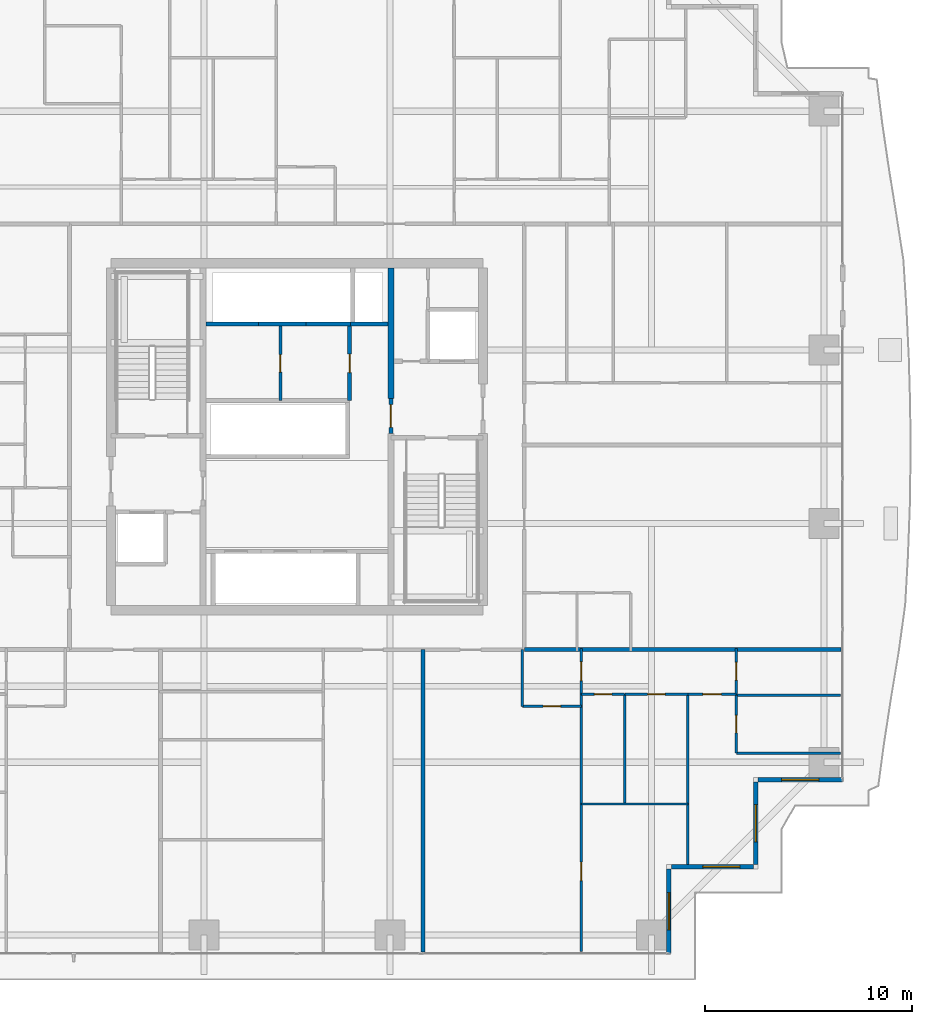
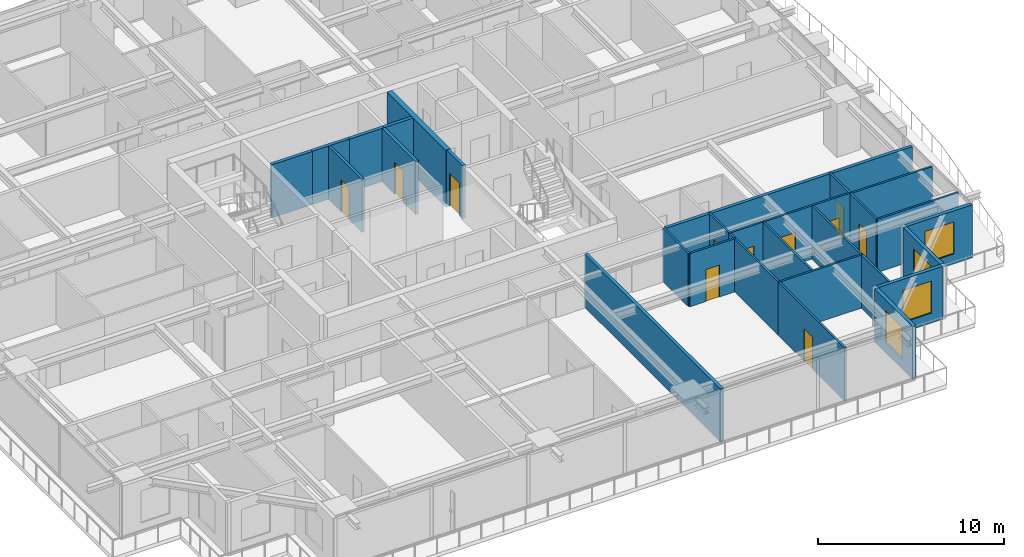
# One storey, part 28 of 38: 29 walls, 11 doors, 4 windows, 15 openings.
"""IFC4 building model written with IfcOpenShell, lengths in metres."""

from ifc_helpers import new_model, si_unit, direction, frame, frame_2d, origin, place, context, subcontext, project, spatial, rectangle, extrude, source, transform, mapped, material, layer, layer_set, type_object, element, fill, save


model = new_model("IFC4")

# Units and contexts
model_context = context("Model", 3, precision=1e-05, world=origin(), true_north=direction((0.0, 1.0)))
body_context = subcontext(model_context, "Body", "Model", "MODEL_VIEW")
ifc_project = project(units=[si_unit("LENGTHUNIT", "METRE"), si_unit("AREAUNIT", "SQUARE_METRE"), si_unit("VOLUMEUNIT", "CUBIC_METRE"), si_unit("PLANEANGLEUNIT", "RADIAN"), si_unit("MASSUNIT", "GRAM", prefix="KILO")], contexts=[model_context])

# Site, building, storey
site_placement = place(None, origin())
site = spatial("IfcSite", under=ifc_project, at=site_placement, CompositionType="ELEMENT")
building_placement = place(site_placement, origin())
building = spatial("IfcBuilding", under=site, at=building_placement, Name="Serunith Strait Residences", CompositionType="ELEMENT")
storey_placement = place(building_placement, frame((0.0, 0.0, 52.949951171875)))
storey = spatial("IfcBuildingStorey", under=building, at=storey_placement, Name="L12", CompositionType="ELEMENT", Elevation=52.949951171875)

# Wall, opening, window
ifc_material_1 = material(Name="Pale-Champagne Aluminium Insulated Panel", Category="aluminium")
ifc_layer_1 = layer(ifc_material_1, 0.219970703125, Name="Pale-Champagne Aluminium Insulated Panel")
ifc_layer_set_1 = layer_set([ifc_layer_1], Name="Pale-Champagne Aluminium Insulated Panel")
wall_type_1 = type_object("IfcWallType", Name="EW-ALUM-220", PredefinedType="ELEMENTEDWALL", material=ifc_layer_set_1)
wall_1_placement = place(storey_placement, frame((50.39990234375, 0.199951171875, 0.0), z_axis=(0.0, 0.0, 1.0), x_axis=(0.0, 1.0, 0.0)))
wall_1 = element("IfcWall", 1, at=wall_1_placement, inside=storey, type_object=wall_type_1, Name="L12 Girih Serrated Corner Wall 02", PredefinedType="ELEMENTEDWALL", context=body_context, shape_type="SweptSolid", body=[
    extrude(rectangle(XDim=4.090087890625, YDim=0.219970703125, at=frame_2d((2.044921875, 0.0))), origin(), (0.0, 0.0, 1.0), 3.47509765625),
])
opening_1_placement = place(wall_1_placement, frame((1.14501953125, 0.0, 0.64990234375)))
opening_1 = element("IfcOpeningElement", 2, at=opening_1_placement, cuts=wall_1, Name="Opening W-01", PredefinedType="OPENING", context=body_context, shape_type="SweptSolid", body=[
    extrude(rectangle(XDim=1.800048828125, YDim=2.10009765625, at=frame_2d((0.89990234375, 1.050048828125))), frame((0.0, 0.1201171875, 0.0), z_axis=(0.0, -1.0, 0.0), x_axis=(1.0, 0.0, 0.0)), (0.0, 0.0, 1.0), 0.239990234375),
])
ifc_material_2 = material(Name="Ceramic-Fritted Operable Aluminium Window Glass", Category="aluminium")
window_type = type_object("IfcWindowType", Name="WIN-C1", PartitioningType="DOUBLE_PANEL_VERTICAL", PredefinedType="WINDOW", material=ifc_material_2)
shared_shape_1 = source(origin(), body_context, "Body", "SweptSolid", [
    extrude(rectangle(XDim=1.800048828125, YDim=2.10009765625, at=frame_2d((0.89990234375, 1.050048828125))), frame((0.0, 0.030029296875, 0.0), z_axis=(0.0, -1.0, 0.0), x_axis=(1.0, 0.0, 0.0)), (0.0, 0.0, 1.0), 0.06005859375),
])
window_1_placement = place(opening_1_placement, origin())
window_1 = element("IfcWindow", 3, at=window_1_placement, inside=storey, type_object=window_type, Name="L12 Corner Operable Fritted Window 02", OverallHeight=2.10009765625, OverallWidth=1.800048828125, PartitioningType="SINGLE_PANEL", PredefinedType="WINDOW", context=body_context, shape_type="MappedRepresentation", body=[
    mapped(shared_shape_1, transform((0.0, 0.0, 0.0), scale=1.0)),
])
fill(opening_1, window_1)

wall_2_placement = place(storey_placement, frame((50.510009765625, 4.39990234375, 0.0), z_axis=(0.0, 0.0, 1.0), x_axis=(1.0, 0.0, 0.0)))
wall_2 = element("IfcWall", 4, at=wall_2_placement, inside=storey, type_object=wall_type_1, Name="L12 Girih Serrated Corner Wall 03", PredefinedType="ELEMENTEDWALL", context=body_context, shape_type="SweptSolid", body=[
    extrude(rectangle(XDim=3.97998046875, YDim=0.219970703125, at=frame_2d((1.989990234375, 0.0))), origin(), (0.0, 0.0, 1.0), 3.47509765625),
])
opening_2_placement = place(wall_2_placement, frame((1.52587890625, 0.0, 0.64990234375)))
opening_2 = element("IfcOpeningElement", 5, at=opening_2_placement, cuts=wall_2, Name="Opening W-01", PredefinedType="OPENING", context=body_context, shape_type="SweptSolid", body=[
    extrude(rectangle(XDim=1.800048828125, YDim=2.10009765625, at=frame_2d((0.89990234375, 1.050048828125))), frame((0.0, 0.1201171875, 0.0), z_axis=(0.0, -1.0, 0.0), x_axis=(1.0, 0.0, 0.0)), (0.0, 0.0, 1.0), 0.239990234375),
])
window_2_placement = place(opening_2_placement, origin())
window_2 = element("IfcWindow", 6, at=window_2_placement, inside=storey, type_object=window_type, Name="L12 Corner Operable Fritted Window 03", OverallHeight=2.10009765625, OverallWidth=1.800048828125, PartitioningType="SINGLE_PANEL", PredefinedType="WINDOW", context=body_context, shape_type="MappedRepresentation", body=[
    mapped(shared_shape_1, transform((0.0, 0.0, 0.0), scale=1.0)),
])
fill(opening_2, window_2)

wall_3_placement = place(storey_placement, frame((54.60009765625, 4.510009765625, 0.0), z_axis=(0.0, 0.0, 1.0), x_axis=(0.0, 1.0, 0.0)))
wall_3 = element("IfcWall", 7, at=wall_3_placement, inside=storey, type_object=wall_type_1, Name="L12 Girih Serrated Corner Wall 04", PredefinedType="ELEMENTEDWALL", context=body_context, shape_type="SweptSolid", body=[
    extrude(rectangle(XDim=3.97998046875, YDim=0.219970703125, at=frame_2d((1.989990234375, 0.0))), origin(), (0.0, 0.0, 1.0), 3.47509765625),
])
opening_3_placement = place(wall_3_placement, frame((1.090087890625, 0.0, 0.64990234375)))
opening_3 = element("IfcOpeningElement", 8, at=opening_3_placement, cuts=wall_3, Name="Opening W-01", PredefinedType="OPENING", context=body_context, shape_type="SweptSolid", body=[
    extrude(rectangle(XDim=1.800048828125, YDim=2.10009765625, at=frame_2d((0.89990234375, 1.050048828125))), frame((0.0, 0.1201171875, 0.0), z_axis=(0.0, -1.0, 0.0), x_axis=(1.0, 0.0, 0.0)), (0.0, 0.0, 1.0), 0.239990234375),
])
window_3_placement = place(opening_3_placement, origin())
window_3 = element("IfcWindow", 9, at=window_3_placement, inside=storey, type_object=window_type, Name="L12 Corner Operable Fritted Window 04", OverallHeight=2.10009765625, OverallWidth=1.800048828125, PartitioningType="SINGLE_PANEL", PredefinedType="WINDOW", context=body_context, shape_type="MappedRepresentation", body=[
    mapped(shared_shape_1, transform((0.0, 0.0, 0.0), scale=1.0)),
])
fill(opening_3, window_3)

wall_4_placement = place(storey_placement, frame((54.7099609375, 8.60009765625, 0.0), z_axis=(0.0, 0.0, 1.0), x_axis=(1.0, 0.0, 0.0)))
wall_4 = element("IfcWall", 10, at=wall_4_placement, inside=storey, type_object=wall_type_1, Name="L12 Girih Serrated Corner Wall 05", PredefinedType="ELEMENTEDWALL", context=body_context, shape_type="SweptSolid", body=[
    extrude(rectangle(XDim=4.090087890625, YDim=0.219970703125, at=frame_2d((2.044921875, 0.0))), origin(), (0.0, 0.0, 1.0), 3.47509765625),
])
opening_4_placement = place(wall_4_placement, frame((1.14501953125, 0.0, 0.64990234375)))
opening_4 = element("IfcOpeningElement", 11, at=opening_4_placement, cuts=wall_4, Name="Opening W-01", PredefinedType="OPENING", context=body_context, shape_type="SweptSolid", body=[
    extrude(rectangle(XDim=1.800048828125, YDim=2.10009765625, at=frame_2d((0.89990234375, 1.050048828125))), frame((0.0, 0.1201171875, 0.0), z_axis=(0.0, -1.0, 0.0), x_axis=(1.0, 0.0, 0.0)), (0.0, 0.0, 1.0), 0.239990234375),
])
window_4_placement = place(opening_4_placement, origin())
window_4 = element("IfcWindow", 12, at=window_4_placement, inside=storey, type_object=window_type, Name="L12 Corner Operable Fritted Window 05", OverallHeight=2.10009765625, OverallWidth=1.800048828125, PartitioningType="SINGLE_PANEL", PredefinedType="WINDOW", context=body_context, shape_type="MappedRepresentation", body=[
    mapped(shared_shape_1, transform((0.0, 0.0, 0.0), scale=1.0)),
])
fill(opening_4, window_4)

# Wall, opening, door
ifc_material_3 = material(Name="Fire-rated masonry service closet wall", Category="masonry")
ifc_layer_2 = layer(ifc_material_3, 0.14990234375, Name="Fire-rated masonry service closet wall")
ifc_layer_set_2 = layer_set([ifc_layer_2], Name="Fire-rated masonry service closet wall")
wall_type_2 = type_object("IfcWallType", Name="IW-BOH-150", PredefinedType="PARTITIONING", material=ifc_layer_set_2)
wall_5_placement = place(storey_placement, frame((31.60009765625, 26.949951171875, 0.0), z_axis=(0.0, 0.0, 1.0), x_axis=(0.0, 1.0, 0.0)))
wall_5 = element("IfcWall", 13, at=wall_5_placement, inside=storey, type_object=wall_type_2, Name="L12 Partition Wall 014", PredefinedType="PARTITIONING", context=body_context, shape_type="SweptSolid", body=[
    extrude(rectangle(XDim=3.60009765625, YDim=0.14990234375, at=frame_2d((1.800048828125, 0.0))), origin(), (0.0, 0.0, 1.0), 3.489990234375),
])
opening_5_placement = place(wall_5_placement, frame((1.375, 0.0, 0.0)))
opening_5 = element("IfcOpeningElement", 14, at=opening_5_placement, cuts=wall_5, Name="Opening FD-850", PredefinedType="OPENING", context=body_context, shape_type="SweptSolid", body=[
    extrude(rectangle(XDim=0.85009765625, YDim=2.10009765625, at=frame_2d((0.425048828125, 1.050048828125))), frame((0.0, 0.0849609375, 0.0), z_axis=(0.0, -1.0, 0.0), x_axis=(1.0, 0.0, 0.0)), (0.0, 0.0, 1.0), 0.169921875),
])
ifc_material_4 = material(Name="Powder-coated steel service closet door", Category="steel")
door_type_1 = type_object("IfcDoorType", Name="FD-BOH-850", OperationType="NOTDEFINED", PredefinedType="DOOR", material=ifc_material_4)
shared_shape_2 = source(origin(), body_context, "Body", "SweptSolid", [
    extrude(rectangle(XDim=0.85009765625, YDim=2.10009765625, at=frame_2d((0.425048828125, 1.050048828125))), frame((0.0, 0.02490234375, 0.0), z_axis=(0.0, -1.0, 0.0), x_axis=(1.0, 0.0, 0.0)), (0.0, 0.0, 1.0), 0.050048828125),
])
door_1_placement = place(opening_5_placement, origin())
door_1 = element("IfcDoor", 15, at=door_1_placement, inside=storey, type_object=door_type_1, Name="L12 Zone Telecoms Door", OperationType="SINGLE_SWING_RIGHT", OverallHeight=2.10009765625, OverallWidth=0.85009765625, PredefinedType="DOOR", context=body_context, shape_type="MappedRepresentation", body=[
    mapped(shared_shape_2, transform((0.0, 0.0, 0.0), scale=1.0)),
])
fill(opening_5, door_1)

ifc_material_5 = material(Name="Lightweight steel-stud gypsum partition", Category="steel")
ifc_layer_3 = layer(ifc_material_5, 0.1201171875, Name="Lightweight steel-stud gypsum partition")
ifc_layer_set_3 = layer_set([ifc_layer_3], Name="Lightweight steel-stud gypsum partition")
wall_type_3 = type_object("IfcWallType", Name="IW-PART-120", PredefinedType="PARTITIONING", material=ifc_layer_set_3)
wall_6_placement = place(storey_placement, frame((43.31005859375, 12.14990234375, 0.0), z_axis=(0.0, 0.0, 1.0), x_axis=(1.0, 0.0, 0.0)))
wall_6 = element("IfcWall", 16, at=wall_6_placement, inside=storey, type_object=wall_type_3, Name="L12 Partition Wall 048", PredefinedType="PARTITIONING", context=body_context, shape_type="SweptSolid", body=[
    extrude(rectangle(XDim=2.849853515625, YDim=0.1201171875, at=frame_2d((1.4248046875, 0.0))), origin(), (0.0, 0.0, 1.0), 3.489990234375),
])
opening_6_placement = place(wall_6_placement, frame((1.0, 0.0, 0.0)))
opening_6 = element("IfcOpeningElement", 17, at=opening_6_placement, cuts=wall_6, Name="Opening D-RM850", PredefinedType="OPENING", context=body_context, shape_type="SweptSolid", body=[
    extrude(rectangle(XDim=0.85009765625, YDim=2.10009765625, at=frame_2d((0.425048828125, 1.050048828125))), frame((0.0, 0.070068359375, 0.0), z_axis=(0.0, -1.0, 0.0), x_axis=(1.0, 0.0, 0.0)), (0.0, 0.0, 1.0), 0.14013671875),
])
ifc_material_6 = material(Name="Engineered timber flush study and kitchen door", Category="wood")
door_type_2 = type_object("IfcDoorType", Name="ID-ROOM-850", OperationType="NOTDEFINED", PredefinedType="DOOR", material=ifc_material_6)
door_2_placement = place(opening_6_placement, origin())
door_2 = element("IfcDoor", 18, at=door_2_placement, inside=storey, type_object=door_type_2, Name="L12 Kitchen 1203 Door", OperationType="SINGLE_SWING_RIGHT", OverallHeight=2.10009765625, OverallWidth=0.85009765625, PredefinedType="DOOR", context=body_context, shape_type="MappedRepresentation", body=[
    mapped(shared_shape_2, transform((0.0, 0.0, 0.0), scale=1.0)),
])
fill(opening_6, door_2)

# Wall
wall_7_placement = place(storey_placement, frame((43.31005859375, 12.14990234375, 0.0), z_axis=(0.0, 0.0, 1.0), x_axis=(0.0, 1.0, 0.0)))
element("IfcWall", 19, at=wall_7_placement, inside=storey, type_object=wall_type_3, Name="L12 Partition Wall 049", PredefinedType="PARTITIONING", context=body_context, shape_type="SweptSolid", body=[
    extrude(rectangle(XDim=2.748046875, YDim=0.1201171875, at=frame_2d((1.3740234375, 0.0))), origin(), (0.0, 0.0, 1.0), 3.489990234375),
])

# Wall, opening, door
wall_8_placement = place(storey_placement, frame((46.159912109375, 12.75, 0.0), z_axis=(0.0, 0.0, 1.0), x_axis=(0.0, 1.0, 0.0)))
wall_8 = element("IfcWall", 20, at=wall_8_placement, inside=storey, type_object=wall_type_3, Name="L12 Partition Wall 050", PredefinedType="PARTITIONING", context=body_context, shape_type="SweptSolid", body=[
    extrude(rectangle(XDim=2.2099609375, YDim=0.1201171875, at=frame_2d((1.10498046875, 0.0))), origin(), (0.0, 0.0, 1.0), 3.489990234375),
])
opening_7_placement = place(wall_8_placement, frame((0.655029296875, 0.0, 0.0)))
opening_7 = element("IfcOpeningElement", 21, at=opening_7_placement, cuts=wall_8, Name="Opening D-RM900", PredefinedType="OPENING", context=body_context, shape_type="SweptSolid", body=[
    extrude(rectangle(XDim=0.89990234375, YDim=2.10009765625, at=frame_2d((0.449951171875, 1.050048828125))), frame((0.0, 0.070068359375, 0.0), z_axis=(0.0, -1.0, 0.0), x_axis=(1.0, 0.0, 0.0)), (0.0, 0.0, 1.0), 0.14013671875),
])
ifc_material_7 = material(Name="Engineered timber flush bedroom door", Category="wood")
door_type_3 = type_object("IfcDoorType", Name="ID-ROOM-900", OperationType="NOTDEFINED", PredefinedType="DOOR", material=ifc_material_7)
shared_shape_3 = source(origin(), body_context, "Body", "SweptSolid", [
    extrude(rectangle(XDim=0.89990234375, YDim=2.10009765625, at=frame_2d((0.449951171875, 1.050048828125))), frame((0.0, 0.02490234375, 0.0), z_axis=(0.0, -1.0, 0.0), x_axis=(1.0, 0.0, 0.0)), (0.0, 0.0, 1.0), 0.050048828125),
])
door_3_placement = place(opening_7_placement, origin())
door_3 = element("IfcDoor", 22, at=door_3_placement, inside=storey, type_object=door_type_3, Name="L12 Hall E 1203 Door", OperationType="SINGLE_SWING_LEFT", OverallHeight=2.10009765625, OverallWidth=0.89990234375, PredefinedType="DOOR", context=body_context, shape_type="MappedRepresentation", body=[
    mapped(shared_shape_3, transform((0.0, 0.0, 0.0), scale=1.0)),
])
fill(opening_7, door_3)

wall_9_placement = place(storey_placement, frame((46.159912109375, 0.294921875, 0.0), z_axis=(0.0, 0.0, 1.0), x_axis=(0.0, 1.0, 0.0)))
wall_9 = element("IfcWall", 23, at=wall_9_placement, inside=storey, type_object=wall_type_3, Name="L12 Partition Wall 051", PredefinedType="PARTITIONING", context=body_context, shape_type="SweptSolid", body=[
    extrude(rectangle(XDim=7.135986328125, YDim=0.1201171875, at=frame_2d((3.56787109375, 0.0))), origin(), (0.0, 0.0, 1.0), 3.489990234375),
])
opening_8_placement = place(wall_9_placement, frame((3.429931640625, 0.0, 0.0)))
opening_8 = element("IfcOpeningElement", 24, at=opening_8_placement, cuts=wall_9, Name="Opening D-RM900", PredefinedType="OPENING", context=body_context, shape_type="SweptSolid", body=[
    extrude(rectangle(XDim=0.89990234375, YDim=2.10009765625, at=frame_2d((0.449951171875, 1.050048828125))), frame((0.0, 0.070068359375, 0.0), z_axis=(0.0, -1.0, 0.0), x_axis=(1.0, 0.0, 0.0)), (0.0, 0.0, 1.0), 0.14013671875),
])
door_4_placement = place(opening_8_placement, origin())
door_4 = element("IfcDoor", 25, at=door_4_placement, inside=storey, type_object=door_type_3, Name="L12 Formal Dining Room 1 1203 Door", OperationType="SINGLE_SWING_RIGHT", OverallHeight=2.10009765625, OverallWidth=0.89990234375, PredefinedType="DOOR", context=body_context, shape_type="MappedRepresentation", body=[
    mapped(shared_shape_3, transform((0.0, 0.0, 0.0), scale=1.0)),
])
fill(opening_8, door_4)

# Walls
wall_10_placement = place(storey_placement, frame((46.159912109375, 7.43310546875, 0.0), z_axis=(0.0, 0.0, 1.0), x_axis=(0.0, 1.0, 0.0)))
element("IfcWall", 26, at=wall_10_placement, inside=storey, type_object=wall_type_3, Name="L12 Partition Wall 052", PredefinedType="PARTITIONING", context=body_context, shape_type="SweptSolid", body=[
    extrude(rectangle(XDim=5.31494140625, YDim=0.1201171875, at=frame_2d((2.657470703125, 0.0))), origin(), (0.0, 0.0, 1.0), 3.489990234375),
])
wall_11_placement = place(storey_placement, frame((46.159912109375, 7.430908203125, 0.0), z_axis=(0.0, 0.0, 1.0), x_axis=(1.0, 0.0, 0.0)))
element("IfcWall", 27, at=wall_11_placement, inside=storey, type_object=wall_type_3, Name="L12 Partition Wall 053", PredefinedType="PARTITIONING", context=body_context, shape_type="SweptSolid", body=[
    extrude(rectangle(XDim=5.150146484375, YDim=0.1201171875, at=frame_2d((2.5751953125, 0.0))), origin(), (0.0, 0.0, 1.0), 3.489990234375),
])
wall_12_placement = place(storey_placement, frame((51.31005859375, 4.4951171875, 0.0), z_axis=(0.0, 0.0, 1.0), x_axis=(0.0, 1.0, 0.0)))
element("IfcWall", 28, at=wall_12_placement, inside=storey, type_object=wall_type_3, Name="L12 Partition Wall 054", PredefinedType="PARTITIONING", context=body_context, shape_type="SweptSolid", body=[
    extrude(rectangle(XDim=8.2548828125, YDim=0.1201171875, at=frame_2d((4.12744140625, 0.0))), origin(), (0.0, 0.0, 1.0), 3.489990234375),
])
wall_13_placement = place(storey_placement, frame((48.260009765625, 7.430908203125, 0.0), z_axis=(0.0, 0.0, 1.0), x_axis=(0.0, 1.0, 0.0)))
element("IfcWall", 29, at=wall_13_placement, inside=storey, type_object=wall_type_3, Name="L12 Partition Wall 055", PredefinedType="PARTITIONING", context=body_context, shape_type="SweptSolid", body=[
    extrude(rectangle(XDim=5.319091796875, YDim=0.1201171875, at=frame_2d((2.65966796875, 0.0))), origin(), (0.0, 0.0, 1.0), 3.489990234375),
])

# Wall, opening, door
wall_14_placement = place(storey_placement, frame((46.159912109375, 12.75, 0.0), z_axis=(0.0, 0.0, 1.0), x_axis=(1.0, 0.0, 0.0)))
wall_14 = element("IfcWall", 30, at=wall_14_placement, inside=storey, type_object=wall_type_3, Name="L12 Partition Wall 056", PredefinedType="PARTITIONING", context=body_context, shape_type="SweptSolid", body=[
    extrude(rectangle(XDim=2.10009765625, YDim=0.1201171875, at=frame_2d((1.050048828125, 0.0))), origin(), (0.0, 0.0, 1.0), 3.489990234375),
])
opening_9_placement = place(wall_14_placement, frame((0.625, 0.0, 0.0)))
opening_9 = element("IfcOpeningElement", 31, at=opening_9_placement, cuts=wall_14, Name="Opening D-BTH850", PredefinedType="OPENING", context=body_context, shape_type="SweptSolid", body=[
    extrude(rectangle(XDim=0.85009765625, YDim=2.10009765625, at=frame_2d((0.425048828125, 1.050048828125))), frame((0.0, 0.070068359375, 0.0), z_axis=(0.0, -1.0, 0.0), x_axis=(1.0, 0.0, 0.0)), (0.0, 0.0, 1.0), 0.14013671875),
])
ifc_material_8 = material(Name="Moisture-resistant timber bathroom door", Category="wood")
door_type_4 = type_object("IfcDoorType", Name="ID-BATH-850", OperationType="NOTDEFINED", PredefinedType="DOOR", material=ifc_material_8)
door_5_placement = place(opening_9_placement, origin())
door_5 = element("IfcDoor", 32, at=door_5_placement, inside=storey, type_object=door_type_4, Name="L12 Bathroom 1203 Door", OperationType="SINGLE_SWING_LEFT", OverallHeight=2.10009765625, OverallWidth=0.85009765625, PredefinedType="DOOR", context=body_context, shape_type="MappedRepresentation", body=[
    mapped(shared_shape_2, transform((0.0, 0.0, 0.0), scale=1.0)),
])
fill(opening_9, door_5)

wall_15_placement = place(storey_placement, frame((48.261962890625, 12.75, 0.0), z_axis=(0.0, 0.0, 1.0), x_axis=(1.0, 0.0, 0.0)))
wall_15 = element("IfcWall", 33, at=wall_15_placement, inside=storey, type_object=wall_type_3, Name="L12 Partition Wall 057", PredefinedType="PARTITIONING", context=body_context, shape_type="SweptSolid", body=[
    extrude(rectangle(XDim=3.048095703125, YDim=0.1201171875, at=frame_2d((1.52392578125, 0.0))), origin(), (0.0, 0.0, 1.0), 3.489990234375),
])
opening_10_placement = place(wall_15_placement, frame((1.09912109375, 0.0, 0.0)))
opening_10 = element("IfcOpeningElement", 34, at=opening_10_placement, cuts=wall_15, Name="Opening D-RM850", PredefinedType="OPENING", context=body_context, shape_type="SweptSolid", body=[
    extrude(rectangle(XDim=0.85009765625, YDim=2.10009765625, at=frame_2d((0.425048828125, 1.050048828125))), frame((0.0, 0.070068359375, 0.0), z_axis=(0.0, -1.0, 0.0), x_axis=(1.0, 0.0, 0.0)), (0.0, 0.0, 1.0), 0.14013671875),
])
door_6_placement = place(opening_10_placement, origin())
door_6 = element("IfcDoor", 35, at=door_6_placement, inside=storey, type_object=door_type_2, Name="L12 Formal Dining Room 1203 Door", OperationType="SINGLE_SWING_RIGHT", OverallHeight=2.10009765625, OverallWidth=0.85009765625, PredefinedType="DOOR", context=body_context, shape_type="MappedRepresentation", body=[
    mapped(shared_shape_2, transform((0.0, 0.0, 0.0), scale=1.0)),
])
fill(opening_10, door_6)

wall_16_placement = place(storey_placement, frame((51.31201171875, 12.75, 0.0), z_axis=(0.0, 0.0, 1.0), x_axis=(1.0, 0.0, 0.0)))
wall_16 = element("IfcWall", 36, at=wall_16_placement, inside=storey, type_object=wall_type_3, Name="L12 Partition Wall 058", PredefinedType="PARTITIONING", context=body_context, shape_type="SweptSolid", body=[
    extrude(rectangle(XDim=2.347900390625, YDim=0.1201171875, at=frame_2d((1.173828125, 0.0))), origin(), (0.0, 0.0, 1.0), 3.489990234375),
])
opening_11_placement = place(wall_16_placement, frame((0.72412109375, 0.0, 0.0)))
opening_11 = element("IfcOpeningElement", 37, at=opening_11_placement, cuts=wall_16, Name="Opening D-RM900", PredefinedType="OPENING", context=body_context, shape_type="SweptSolid", body=[
    extrude(rectangle(XDim=0.89990234375, YDim=2.10009765625, at=frame_2d((0.449951171875, 1.050048828125))), frame((0.0, 0.070068359375, 0.0), z_axis=(0.0, -1.0, 0.0), x_axis=(1.0, 0.0, 0.0)), (0.0, 0.0, 1.0), 0.14013671875),
])
door_7_placement = place(opening_11_placement, origin())
door_7 = element("IfcDoor", 38, at=door_7_placement, inside=storey, type_object=door_type_3, Name="L12 Master Bedroom E 1203 Door", OperationType="SINGLE_SWING_LEFT", OverallHeight=2.10009765625, OverallWidth=0.89990234375, PredefinedType="DOOR", context=body_context, shape_type="MappedRepresentation", body=[
    mapped(shared_shape_3, transform((0.0, 0.0, 0.0), scale=1.0)),
])
fill(opening_11, door_7)

# Walls
wall_17_placement = place(storey_placement, frame((53.659912109375, 9.89404296875, 0.0), z_axis=(0.0, 0.0, 1.0), x_axis=(1.0, 0.0, 0.0)))
element("IfcWall", 39, at=wall_17_placement, inside=storey, type_object=wall_type_3, Name="L12 Partition Wall 059", PredefinedType="PARTITIONING", context=body_context, shape_type="SweptSolid", body=[
    extrude(rectangle(XDim=5.045166015625, YDim=0.1201171875, at=frame_2d((2.5224609375, 0.0))), origin(), (0.0, 0.0, 1.0), 3.489990234375),
])
wall_18_placement = place(storey_placement, frame((53.662109375, 12.701904296875, 0.0), z_axis=(0.0, 0.0, 1.0), x_axis=(1.0, 0.0, 0.0)))
element("IfcWall", 40, at=wall_18_placement, inside=storey, type_object=wall_type_3, Name="L12 Partition Wall 060", PredefinedType="PARTITIONING", context=body_context, shape_type="SweptSolid", body=[
    extrude(rectangle(XDim=5.04296875, YDim=0.1201171875, at=frame_2d((2.521484375, 0.0))), origin(), (0.0, 0.0, 1.0), 3.489990234375),
])

# Wall, opening, door
wall_19_placement = place(storey_placement, frame((53.659912109375, 9.89404296875, 0.0), z_axis=(0.0, 0.0, 1.0), x_axis=(0.0, 1.0, 0.0)))
wall_19 = element("IfcWall", 41, at=wall_19_placement, inside=storey, type_object=wall_type_3, Name="L12 Partition Wall 061", PredefinedType="PARTITIONING", context=body_context, shape_type="SweptSolid", body=[
    extrude(rectangle(XDim=2.807861328125, YDim=0.1201171875, at=frame_2d((1.40380859375, 0.0))), origin(), (0.0, 0.0, 1.0), 3.489990234375),
])
opening_12_placement = place(wall_19_placement, frame((0.97900390625, 0.0, 0.0)))
opening_12 = element("IfcOpeningElement", 42, at=opening_12_placement, cuts=wall_19, Name="Opening D-BTH850", PredefinedType="OPENING", context=body_context, shape_type="SweptSolid", body=[
    extrude(rectangle(XDim=0.85009765625, YDim=2.10009765625, at=frame_2d((0.425048828125, 1.050048828125))), frame((0.0, 0.070068359375, 0.0), z_axis=(0.0, -1.0, 0.0), x_axis=(1.0, 0.0, 0.0)), (0.0, 0.0, 1.0), 0.14013671875),
])
door_8_placement = place(opening_12_placement, origin())
door_8 = element("IfcDoor", 43, at=door_8_placement, inside=storey, type_object=door_type_4, Name="L12 En-suite Bathroom E 1203 Door", OperationType="SINGLE_SWING_RIGHT", OverallHeight=2.10009765625, OverallWidth=0.85009765625, PredefinedType="DOOR", context=body_context, shape_type="MappedRepresentation", body=[
    mapped(shared_shape_2, transform((0.0, 0.0, 0.0), scale=1.0)),
])
fill(opening_12, door_8)

wall_20_placement = place(storey_placement, frame((53.659912109375, 12.75, 0.0), z_axis=(0.0, 0.0, 1.0), x_axis=(0.0, 1.0, 0.0)))
wall_20 = element("IfcWall", 44, at=wall_20_placement, inside=storey, type_object=wall_type_3, Name="L12 Partition Wall 062", PredefinedType="PARTITIONING", context=body_context, shape_type="SweptSolid", body=[
    extrude(rectangle(XDim=2.2099609375, YDim=0.1201171875, at=frame_2d((1.10498046875, 0.0))), origin(), (0.0, 0.0, 1.0), 3.489990234375),
])
opening_13_placement = place(wall_20_placement, frame((0.679931640625, 0.0, 0.0)))
opening_13 = element("IfcOpeningElement", 45, at=opening_13_placement, cuts=wall_20, Name="Opening D-RM850", PredefinedType="OPENING", context=body_context, shape_type="SweptSolid", body=[
    extrude(rectangle(XDim=0.85009765625, YDim=2.10009765625, at=frame_2d((0.425048828125, 1.050048828125))), frame((0.0, 0.070068359375, 0.0), z_axis=(0.0, -1.0, 0.0), x_axis=(1.0, 0.0, 0.0)), (0.0, 0.0, 1.0), 0.14013671875),
])
door_9_placement = place(opening_13_placement, origin())
door_9 = element("IfcDoor", 46, at=door_9_placement, inside=storey, type_object=door_type_2, Name="L12 Wardrobe E 1203 Door", OperationType="SINGLE_SWING_LEFT", OverallHeight=2.10009765625, OverallWidth=0.85009765625, PredefinedType="DOOR", context=body_context, shape_type="MappedRepresentation", body=[
    mapped(shared_shape_2, transform((0.0, 0.0, 0.0), scale=1.0)),
])
fill(opening_13, door_9)

# Walls
ifc_material_9 = material(Name="Twin-stud acoustic gypsum board partition")
ifc_layer_4 = layer(ifc_material_9, 0.199951171875, Name="Twin-stud acoustic gypsum board partition")
ifc_layer_set_4 = layer_set([ifc_layer_4], Name="Twin-stud acoustic gypsum board partition")
wall_type_4 = type_object("IfcWallType", Name="IW-PARTY-200", PredefinedType="PARTITIONING", material=ifc_layer_set_4)
wall_21_placement = place(storey_placement, frame((38.5, 0.281982421875, 0.0), z_axis=(0.0, 0.0, 1.0), x_axis=(0.0, 1.0, 0.0)))
element("IfcWall", 47, at=wall_21_placement, inside=storey, type_object=wall_type_4, Name="L12 Partition Wall 016", PredefinedType="PARTITIONING", context=body_context, shape_type="SweptSolid", body=[
    extrude(rectangle(XDim=14.617919921875, YDim=0.199951171875, at=frame_2d((7.30908203125, 0.0))), origin(), (0.0, 0.0, 1.0), 3.489990234375),
])
wall_22_placement = place(storey_placement, frame((43.39990234375, 14.89990234375, 0.0), z_axis=(0.0, 0.0, 1.0), x_axis=(1.0, 0.0, 0.0)))
element("IfcWall", 48, at=wall_22_placement, inside=storey, type_object=wall_type_4, Name="L12 Partition Wall 019", PredefinedType="PARTITIONING", context=body_context, shape_type="SweptSolid", body=[
    extrude(rectangle(XDim=15.318115234375, YDim=0.199951171875, at=frame_2d((7.6591796875, 0.0))), origin(), (0.0, 0.0, 1.0), 3.489990234375),
])
ifc_material_10 = material(Name="Autoclaved aerated concrete blockwork", Category="masonry")
ifc_layer_5 = layer(ifc_material_10, 0.199951171875, Name="Autoclaved aerated concrete blockwork")
ifc_layer_set_5 = layer_set([ifc_layer_5], Name="Autoclaved aerated concrete blockwork")
wall_type_5 = type_object("IfcWallType", Name="IW-SHAFT-200", PredefinedType="STANDARD", material=ifc_layer_set_5)
wall_23_placement = place(storey_placement, frame((28.0, 30.64990234375, 0.0), z_axis=(0.0, 0.0, 1.0), x_axis=(1.0, 0.0, 0.0)))
element("IfcWall", 49, at=wall_23_placement, inside=storey, type_object=wall_type_5, Name="L12 PL-7 South Shaft Wall", PredefinedType="STANDARD", context=body_context, shape_type="SweptSolid", body=[
    extrude(rectangle(XDim=2.550048828125, YDim=0.199951171875, at=frame_2d((1.27490234375, 0.0))), origin(), (0.0, 0.0, 1.0), 3.489990234375),
])
wall_24_placement = place(storey_placement, frame((30.550048828125, 30.64990234375, 0.0), z_axis=(0.0, 0.0, 1.0), x_axis=(1.0, 0.0, 0.0)))
element("IfcWall", 50, at=wall_24_placement, inside=storey, type_object=wall_type_5, Name="L12 PL-8 South Shaft Wall", PredefinedType="STANDARD", context=body_context, shape_type="SweptSolid", body=[
    extrude(rectangle(XDim=2.300048828125, YDim=0.199951171875, at=frame_2d((1.14990234375, 0.0))), origin(), (0.0, 0.0, 1.0), 3.489990234375),
])
wall_25_placement = place(storey_placement, frame((32.85009765625, 30.64990234375, 0.0), z_axis=(0.0, 0.0, 1.0), x_axis=(1.0, 0.0, 0.0)))
element("IfcWall", 51, at=wall_25_placement, inside=storey, type_object=wall_type_5, Name="L12 PL-9 South Shaft Wall", PredefinedType="STANDARD", context=body_context, shape_type="SweptSolid", body=[
    extrude(rectangle(XDim=2.14990234375, YDim=0.199951171875, at=frame_2d((1.074951171875, 0.0))), origin(), (0.0, 0.0, 1.0), 3.489990234375),
])
wall_26_placement = place(storey_placement, frame((35.0, 30.64990234375, 0.0), z_axis=(0.0, 0.0, 1.0), x_axis=(1.0, 0.0, 0.0)))
element("IfcWall", 52, at=wall_26_placement, inside=storey, type_object=wall_type_5, Name="L12 SL-1 South Shaft Wall", PredefinedType="STANDARD", context=body_context, shape_type="SweptSolid", body=[
    extrude(rectangle(XDim=1.800048828125, YDim=0.199951171875, at=frame_2d((0.89990234375, 0.0))), origin(), (0.0, 0.0, 1.0), 3.489990234375),
])

# Wall, opening, door
wall_27_placement = place(storey_placement, frame((36.949951171875, 25.35205078125, 0.0), z_axis=(0.0, 0.0, 1.0), x_axis=(0.0, 1.0, 0.0)))
wall_27 = element("IfcWall", 53, at=wall_27_placement, inside=storey, type_object=wall_type_5, Name="L12 Partition Wall 010", PredefinedType="STANDARD", context=body_context, shape_type="SweptSolid", body=[
    extrude(rectangle(XDim=1.696044921875, YDim=0.199951171875, at=frame_2d((0.84814453125, 0.0))), origin(), (0.0, 0.0, 1.0), 3.489990234375),
])
opening_14_placement = place(wall_27_placement, frame((0.298095703125, 0.0, 0.0)))
opening_14 = element("IfcOpeningElement", 54, at=opening_14_placement, cuts=wall_27, Name="Opening FD-FFL", PredefinedType="OPENING", context=body_context, shape_type="SweptSolid", body=[
    extrude(rectangle(XDim=1.10009765625, YDim=2.14990234375, at=frame_2d((0.550048828125, 1.074951171875))), frame((0.0, 0.10986328125, 0.0), z_axis=(0.0, -1.0, 0.0), x_axis=(1.0, 0.0, 0.0)), (0.0, 0.0, 1.0), 0.219970703125),
])
ifc_material_11 = material(Name="Glazed steel smoke-lobby fire door", Category="steel")
door_type_5 = type_object("IfcDoorType", Name="FD-FFL-1100", OperationType="NOTDEFINED", PredefinedType="DOOR", material=ifc_material_11)
shared_shape_4 = source(origin(), body_context, "Body", "SweptSolid", [
    extrude(rectangle(XDim=1.10009765625, YDim=2.14990234375, at=frame_2d((0.550048828125, 1.074951171875))), frame((0.0, 0.02490234375, 0.0), z_axis=(0.0, -1.0, 0.0), x_axis=(1.0, 0.0, 0.0)), (0.0, 0.0, 1.0), 0.050048828125),
])
door_10_placement = place(opening_14_placement, origin())
door_10 = element("IfcDoor", 55, at=door_10_placement, inside=storey, type_object=door_type_5, Name="L12 FFL-2 Lift Lobby Door", OperationType="SINGLE_SWING_LEFT", OverallHeight=2.14990234375, OverallWidth=1.10009765625, PredefinedType="DOOR", context=body_context, shape_type="MappedRepresentation", body=[
    mapped(shared_shape_4, transform((0.0, 0.0, 0.0), scale=1.0)),
])
fill(opening_14, door_10)

wall_28_placement = place(storey_placement, frame((34.949951171875, 26.949951171875, 0.0), z_axis=(0.0, 0.0, 1.0), x_axis=(0.0, 1.0, 0.0)))
wall_28 = element("IfcWall", 56, at=wall_28_placement, inside=storey, type_object=wall_type_5, Name="L12 Partition Wall 013", PredefinedType="STANDARD", context=body_context, shape_type="SweptSolid", body=[
    extrude(rectangle(XDim=3.60009765625, YDim=0.199951171875, at=frame_2d((1.800048828125, 0.0))), origin(), (0.0, 0.0, 1.0), 3.489990234375),
])
opening_15_placement = place(wall_28_placement, frame((1.35009765625, 0.0, 0.0)))
opening_15 = element("IfcOpeningElement", 57, at=opening_15_placement, cuts=wall_28, Name="Opening FD-900", PredefinedType="OPENING", context=body_context, shape_type="SweptSolid", body=[
    extrude(rectangle(XDim=0.89990234375, YDim=2.10009765625, at=frame_2d((0.449951171875, 1.050048828125))), frame((0.0, 0.10986328125, 0.0), z_axis=(0.0, -1.0, 0.0), x_axis=(1.0, 0.0, 0.0)), (0.0, 0.0, 1.0), 0.219970703125),
])
ifc_material_12 = material(Name="Powder-coated steel riser door", Category="steel")
door_type_6 = type_object("IfcDoorType", Name="FD-BOH-900", OperationType="NOTDEFINED", PredefinedType="DOOR", material=ifc_material_12)
door_11_placement = place(opening_15_placement, origin())
door_11 = element("IfcDoor", 58, at=door_11_placement, inside=storey, type_object=door_type_6, Name="L12 Central Comms Door", OperationType="SINGLE_SWING_LEFT", OverallHeight=2.10009765625, OverallWidth=0.89990234375, PredefinedType="DOOR", context=body_context, shape_type="MappedRepresentation", body=[
    mapped(shared_shape_3, transform((0.0, 0.0, 0.0), scale=1.0)),
])
fill(opening_15, door_11)

# Wall
ifc_material_13 = material(Name="Concrete C80/95", Category="concrete")
ifc_layer_6 = layer(ifc_material_13, 0.300048828125, Name="Concrete C80/95")
ifc_layer_set_6 = layer_set([ifc_layer_6], Name="Concrete C80/95")
wall_type_6 = type_object("IfcWallType", Name="SW-300-C80", PredefinedType="SHEAR", material=ifc_layer_set_6)
wall_29_placement = place(storey_placement, frame((36.949951171875, 27.050048828125, -0.260009765625), z_axis=(0.0, 0.0, 1.0), x_axis=(0.0, 1.0, 0.0)))
element("IfcWall", 59, at=wall_29_placement, inside=storey, type_object=wall_type_6, Name="L12 Core Internal East Web North Pier", PredefinedType="SHEAR", context=body_context, shape_type="SweptSolid", body=[
    extrude(rectangle(XDim=6.324951171875, YDim=0.300048828125, at=frame_2d((3.16259765625, 0.0))), origin(), (0.0, 0.0, 1.0), 3.748046875),
])

save(model, "model.ifc")
